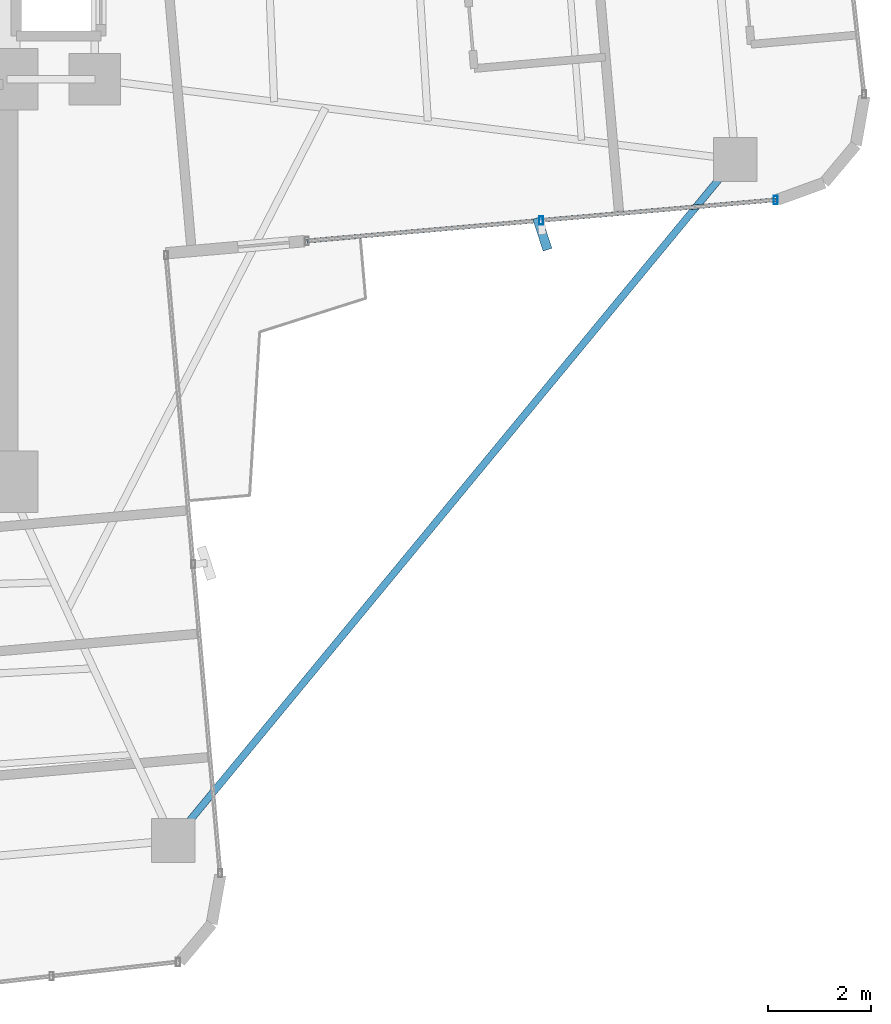
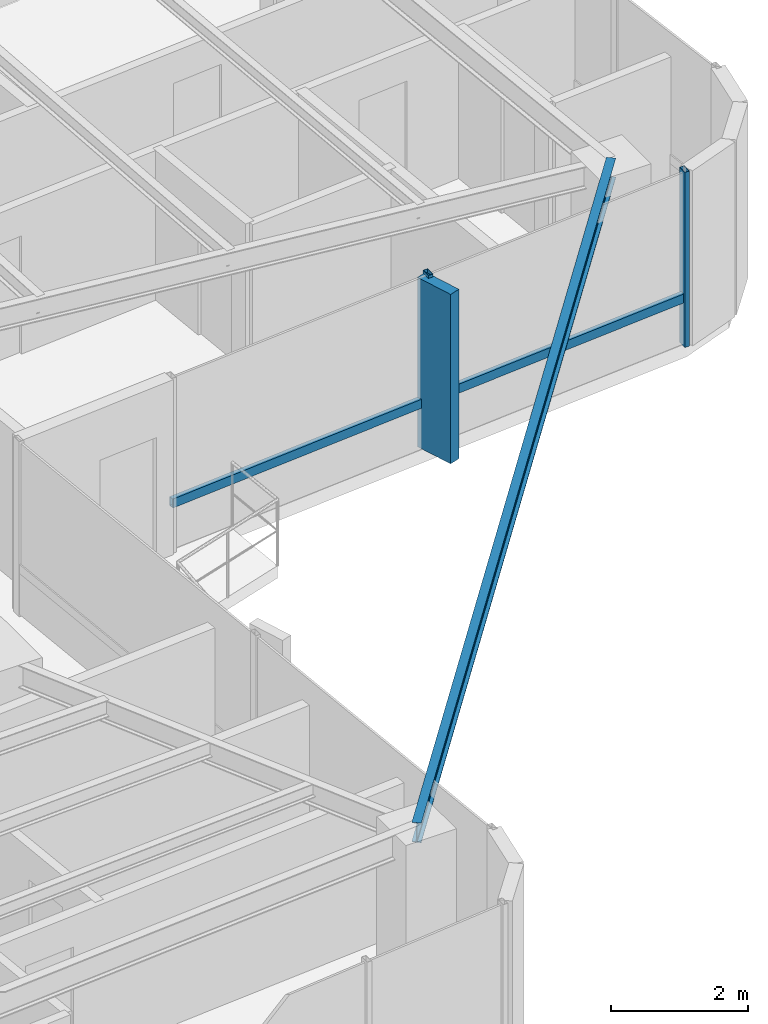
# One storey, part 13 of 24: 5 members, 1 beam, 1 element without a shape of its own.
"""IFC4 building model written with IfcOpenShell, lengths in metres."""

from ifc_helpers import new_model, si_unit, direction, frame, origin, origin_2d, place, context, subcontext, project, spatial, rectangle, hollow_rectangle, i_section, extrude, source, transform, mapped, material, material_profile, profile_set, type_object, element, aggregate, save


model = new_model("IFC4")

# Units and contexts
model_context = context("Model", 3, precision=1e-05, world=origin(), true_north=direction((0.0, 1.0)))
body_context = subcontext(model_context, "Body", "Model", "MODEL_VIEW")
ifc_project = project(units=[si_unit("LENGTHUNIT", "METRE"), si_unit("AREAUNIT", "SQUARE_METRE"), si_unit("VOLUMEUNIT", "CUBIC_METRE"), si_unit("PLANEANGLEUNIT", "RADIAN"), si_unit("MASSUNIT", "GRAM", prefix="KILO")], contexts=[model_context])

# Site, building, storey
site_placement = place(None, origin())
site = spatial("IfcSite", under=ifc_project, at=site_placement, CompositionType="ELEMENT")
building_placement = place(site_placement, origin())
building = spatial("IfcBuilding", under=site, at=building_placement, Name="Sahyath Konkavel Grand Hotel", CompositionType="ELEMENT")
storey_placement = place(building_placement, frame((0.0, 0.0, 188.60009765625)))
storey = spatial("IfcBuildingStorey", under=building, at=storey_placement, Name="L52", CompositionType="ELEMENT", Elevation=188.60009765625)

# Beam
ifc_material_1 = material(Name="Steel E350", Category="steel")
ifc_material_profile_1 = material_profile(ifc_material_1, i_section(OverallWidth=0.139892578125, OverallDepth=0.35009765625, WebThickness=0.008056640625, FlangeThickness=0.01416015625, FilletRadius=0.013916015625, at=origin_2d()), Name="ISMB 350")
ifc_profile_set_1 = profile_set([ifc_material_profile_1], Name="Steel E350")
beam_type = type_object("IfcBeamType", Name="BM-ISMB350", PredefinedType="BEAM", material=ifc_profile_set_1)
shared_shape_1 = source(origin(), body_context, "Body", "SweptSolid", [
    extrude(i_section(OverallWidth=0.139892578125, OverallDepth=0.35009765625, WebThickness=0.008056640625, FlangeThickness=0.01416015625, FilletRadius=0.013916015625, at=origin_2d()), origin(), (0.0, 0.0, 1.0), 17.112548828125),
])
beam_placement = place(storey_placement, frame((17.912841796875, -3.953857421875, 2.934814453125), z_axis=(-0.636437070092, -0.77132863023, 0.0), x_axis=(0.77132863023, -0.636437070092, 0.0)))
element("IfcBeam", 1, at=beam_placement, inside=storey, type_object=beam_type, Name="L52 Re-Entrant Tie Beam SE", PredefinedType="BEAM", context=body_context, shape_type="MappedRepresentation", body=[
    mapped(shared_shape_1, transform((0.0, 0.0, 0.0), scale=1.0)),
])

# Curtain wall, members
ifc_material_2 = material(Name="Anodised Bronze Aluminium & Low-E Glazing", Category="aluminium")
curtain_wall_type = type_object("IfcCurtainWallType", Name="CW-ZONE3", PredefinedType="NOTDEFINED", material=ifc_material_2)
curtain_wall_placement = place(storey_placement, origin())
curtain_wall = element("IfcCurtainWall", 2, at=curtain_wall_placement, inside=storey, type_object=curtain_wall_type, Name="L52 Unitised Curtain Wall F0", PredefinedType="NOTDEFINED")
ifc_material_3 = material(Name="Anodised Bronze Aluminium", Category="aluminium")
ifc_material_profile_2 = material_profile(ifc_material_3, hollow_rectangle(XDim=0.080078125, YDim=0.159912109375, WallThickness=0.006103515625, at=origin_2d()), Name="RHS 160x80x6")
ifc_profile_set_2 = profile_set([ifc_material_profile_2], Name="Anodised Bronze Aluminium")
member_type_1 = type_object("IfcMemberType", Name="CW-MUL-160", PredefinedType="MULLION", material=ifc_profile_set_2)
shared_shape_2 = source(origin(), body_context, "Body", "SweptSolid", [
    extrude(hollow_rectangle(XDim=0.080078125, YDim=0.159912109375, WallThickness=0.006103515625, at=origin_2d()), origin(), (0.0, 0.0, 1.0), 3.10986328125),
])
member_1_placement = place(storey_placement, frame((14.151611328125, -5.135986328125, 0.0), z_axis=(0.0, 0.0, 1.0), x_axis=(1.0, 0.0, 0.0)))
member_1 = element("IfcMember", 3, at=member_1_placement, type_object=member_type_1, Name="L52 Curtain Wall Mullion F0-1", PredefinedType="MULLION", context=body_context, shape_type="MappedRepresentation", body=[
    mapped(shared_shape_2, transform((0.0, 0.0, 0.0), scale=1.0)),
])
member_2_placement = place(storey_placement, frame((18.694091796875, -4.73876953125, 0.0), z_axis=(0.0, 0.0, 1.0), x_axis=(1.0, 0.0, 0.0)))
member_2 = element("IfcMember", 4, at=member_2_placement, type_object=member_type_1, Name="L52 Curtain Wall Mullion F0-2", PredefinedType="MULLION", context=body_context, shape_type="MappedRepresentation", body=[
    mapped(shared_shape_2, transform((0.0, 0.0, 0.0), scale=1.0)),
])
ifc_material_4 = material(Name="Warm Buff Sandstone Cladding on Concrete C50/60", Category="masonry")
ifc_material_profile_3 = material_profile(ifc_material_4, rectangle(XDim=0.179931640625, YDim=0.64990234375, at=origin_2d()), Name="FIN 180x650")
ifc_profile_set_3 = profile_set([ifc_material_profile_3], Name="Warm Buff Sandstone Cladding on Concrete C50/60")
member_type_2 = type_object("IfcMemberType", Name="FIN-SANDSTONE-650", PredefinedType="MULLION", material=ifc_profile_set_3)
shared_shape_3 = source(origin(), body_context, "Body", "SweptSolid", [
    extrude(rectangle(XDim=0.179931640625, YDim=0.64990234375, at=origin_2d()), origin(), (0.0, 0.0, 1.0), 3.010009765625),
])
member_3_placement = place(storey_placement, frame((14.17431640625, -5.39501953125, 0.0498046875), z_axis=(0.0, 0.0, 1.0), x_axis=(0.951164325631, 0.308684994204, 0.0)))
member_3 = element("IfcMember", 5, at=member_3_placement, type_object=member_type_2, Name="L52 Sandstone Vertical Solar Fin FIN F0-1", PredefinedType="MULLION", context=body_context, shape_type="MappedRepresentation", body=[
    mapped(shared_shape_3, transform((0.0, 0.0, 0.0), scale=1.0)),
])
ifc_material_profile_4 = material_profile(ifc_material_3, hollow_rectangle(XDim=0.080078125, YDim=0.159912109375, WallThickness=0.006103515625, at=origin_2d()), Name="RHS 160x80x6")
ifc_profile_set_4 = profile_set([ifc_material_profile_4], Name="Anodised Bronze Aluminium")
member_type_3 = type_object("IfcMemberType", Name="CW-TRN-160", PredefinedType="USERDEFINED", material=ifc_profile_set_4)
shared_shape_4 = source(origin(), body_context, "Body", "SweptSolid", [
    extrude(hollow_rectangle(XDim=0.080078125, YDim=0.159912109375, WallThickness=0.006103515625, at=origin_2d()), origin(), (0.0, 0.0, 1.0), 4.56005859375),
])
member_4_placement = place(storey_placement, frame((9.60888671875, -5.53369140625, 0.849853515625), z_axis=(0.996189590376, 0.087214104516, 0.0), x_axis=(-0.087214104516, 0.996189590376, 0.0)))
member_4 = element("IfcMember", 6, at=member_4_placement, type_object=member_type_3, Name="L52 Curtain Wall Transom F0-0-spandrel", ObjectType="TRANSOM", PredefinedType="USERDEFINED", context=body_context, shape_type="MappedRepresentation", body=[
    mapped(shared_shape_4, transform((0.0, 0.0, 0.0), scale=1.0)),
])
shared_shape_5 = source(origin(), body_context, "Body", "SweptSolid", [
    extrude(hollow_rectangle(XDim=0.080078125, YDim=0.159912109375, WallThickness=0.006103515625, at=origin_2d()), origin(), (0.0, 0.0, 1.0), 4.559814453125),
])
member_5_placement = place(storey_placement, frame((14.151611328125, -5.135986328125, 0.849853515625), z_axis=(0.99619848155, 0.087112486804, 0.0), x_axis=(-0.087112486804, 0.99619848155, 0.0)))
member_5 = element("IfcMember", 7, at=member_5_placement, type_object=member_type_3, Name="L52 Curtain Wall Transom F0-1-spandrel", ObjectType="TRANSOM", PredefinedType="USERDEFINED", context=body_context, shape_type="MappedRepresentation", body=[
    mapped(shared_shape_5, transform((0.0, 0.0, 0.0), scale=1.0)),
])
aggregate(curtain_wall, [member_1, member_3, member_2, member_4, member_5])

save(model, "model.ifc")
